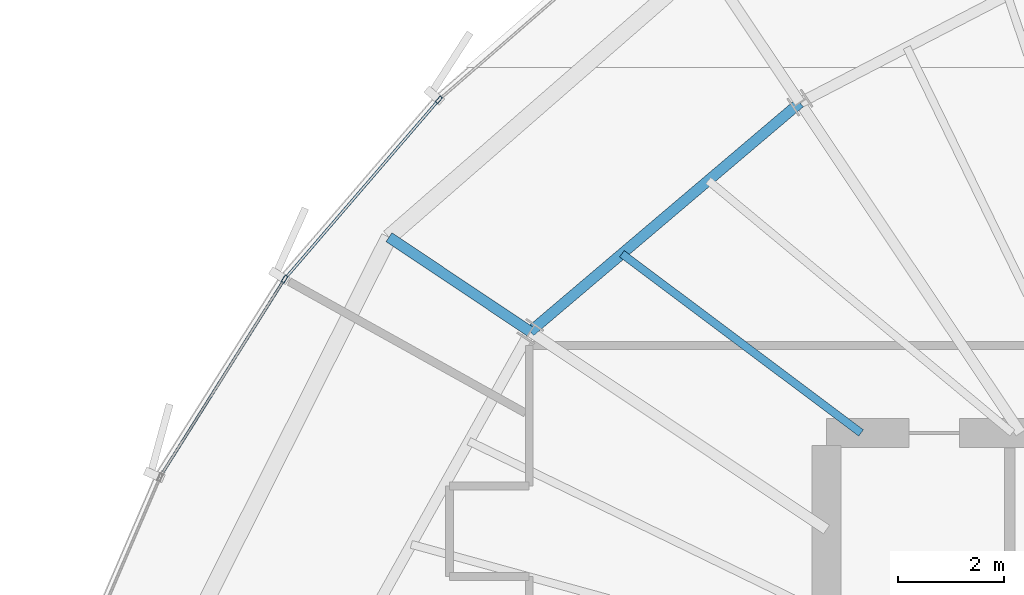
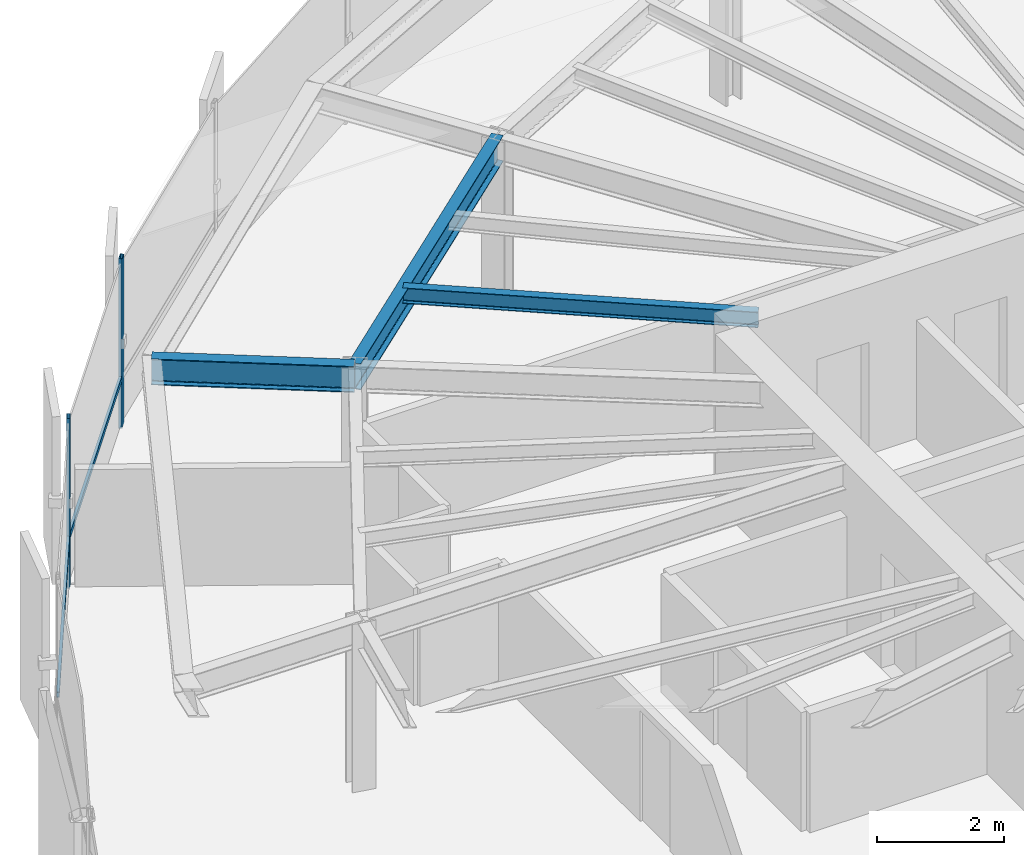
# One storey, part 20 of 34: 4 members, 3 beams, 1 element without a shape of its own.
"""IFC4 building model written with IfcOpenShell, lengths in metres."""

from ifc_helpers import new_model, si_unit, direction, frame, origin, origin_2d, place, context, subcontext, project, spatial, hollow_rectangle, i_section, extrude, source, transform, mapped, material, layer, layer_set, material_profile, profile_set, type_object, element, aggregate, save


model = new_model("IFC4")

# Units and contexts
model_context = context("Model", 3, precision=1e-05, world=origin(), true_north=direction((0.0, 1.0)))
body_context = subcontext(model_context, "Body", "Model", "MODEL_VIEW")
ifc_project = project(units=[si_unit("LENGTHUNIT", "METRE"), si_unit("AREAUNIT", "SQUARE_METRE"), si_unit("VOLUMEUNIT", "CUBIC_METRE"), si_unit("PLANEANGLEUNIT", "RADIAN"), si_unit("MASSUNIT", "GRAM", prefix="KILO"), si_unit("THERMODYNAMICTEMPERATUREUNIT", "KELVIN")], contexts=[model_context])

# Site, building, storey
site_placement = place(None, origin())
site = spatial("IfcSite", under=ifc_project, at=site_placement, CompositionType="ELEMENT")
building_placement = place(site_placement, origin())
building = spatial("IfcBuilding", under=site, at=building_placement, Name="Kethvar Cultural Tower", CompositionType="ELEMENT")
storey_placement = place(building_placement, frame((0.0, 0.0, 183.39990234375)))
storey = spatial("IfcBuildingStorey", under=building, at=storey_placement, Name="L47", CompositionType="ELEMENT", Elevation=183.39990234375)

# Beams
ifc_material_1 = material(Name="Steel S355J2", Category="steel")
ifc_material_profile_1 = material_profile(ifc_material_1, i_section(OverallWidth=0.199951171875, OverallDepth=0.5, WebThickness=0.01025390625, FlangeThickness=0.01611328125, FilletRadius=0.02099609375, at=origin_2d()), Name="Steel S355J2 — IPE500")
ifc_profile_set_1 = profile_set([ifc_material_profile_1], Name="Steel S355J2 — IPE500")
beam_type_1 = type_object("IfcBeamType", Name="BM-IPE500", PredefinedType="BEAM", material=ifc_profile_set_1)
shared_shape_1 = source(origin(), body_context, "Body", "SweptSolid", [
    extrude(i_section(OverallWidth=0.199951171875, OverallDepth=0.5, WebThickness=0.01025390625, FlangeThickness=0.01611328125, FilletRadius=0.02099609375, at=origin_2d()), origin(), (0.0, 0.0, 1.0), 3.199951171875),
])
beam_1_placement = place(storey_placement, frame((32.418212890625, 37.409423828125, 3.008056640625), z_axis=(-0.831462943996, 0.555580212716, 0.0), x_axis=(-0.555580212716, -0.831462943996, 0.0)))
element("IfcBeam", 1, at=beam_1_placement, inside=storey, type_object=beam_type_1, Name="L47 Perimeter Cantilever Beam RC-07", PredefinedType="BEAM", context=body_context, shape_type="MappedRepresentation", body=[
    mapped(shared_shape_1, transform((0.0, 0.0, 0.0), scale=1.0)),
])
shared_shape_2 = source(origin(), body_context, "Body", "SweptSolid", [
    extrude(i_section(OverallWidth=0.199951171875, OverallDepth=0.5, WebThickness=0.01025390625, FlangeThickness=0.01611328125, FilletRadius=0.02099609375, at=origin_2d()), origin(), (0.0, 0.0, 1.0), 6.6630859375),
])
beam_2_placement = place(storey_placement, frame((37.498779296875, 41.720458984375, 3.008056640625), z_axis=(-0.762490511547, -0.646999397064, 0.0), x_axis=(0.646999397064, -0.762490511547, 0.0)))
element("IfcBeam", 2, at=beam_2_placement, inside=storey, type_object=beam_type_1, Name="L47 Column Ring Tie Beam CR-06", PredefinedType="BEAM", context=body_context, shape_type="MappedRepresentation", body=[
    mapped(shared_shape_2, transform((0.0, 0.0, 0.0), scale=1.0)),
])
ifc_material_profile_2 = material_profile(ifc_material_1, i_section(OverallWidth=0.14990234375, OverallDepth=0.300048828125, WebThickness=0.007080078125, FlangeThickness=0.0107421875, FilletRadius=0.014892578125, at=origin_2d()), Name="Steel S355J2 — IPE300")
ifc_profile_set_2 = profile_set([ifc_material_profile_2], Name="Steel S355J2 — IPE300")
beam_type_2 = type_object("IfcBeamType", Name="BM-J300", PredefinedType="JOIST", material=ifc_profile_set_2)
shared_shape_3 = source(origin(), body_context, "Body", "SweptSolid", [
    extrude(i_section(OverallWidth=0.14990234375, OverallDepth=0.300048828125, WebThickness=0.007080078125, FlangeThickness=0.0107421875, FilletRadius=0.014892578125, at=origin_2d()), origin(), (0.0, 0.0, 1.0), 5.628662109375),
])
beam_3_placement = place(storey_placement, frame((38.64990234375, 35.5, 3.108154296875), z_axis=(-0.800260171956, 0.599652947279, 0.0), x_axis=(-0.599652947279, -0.800260171956, 0.0)))
element("IfcBeam", 3, at=beam_3_placement, inside=storey, type_object=beam_type_2, Name="L47 Composite Floor Joist J-06B", PredefinedType="JOIST", context=body_context, shape_type="MappedRepresentation", body=[
    mapped(shared_shape_3, transform((0.0, 0.0, 0.0), scale=1.0)),
])

# Curtain wall, members
ifc_material_2 = material(Name="Aluminium 6063-T6", Category="aluminium")
ifc_layer = layer(ifc_material_2, 0.179931640625, Name="Aluminium 6063-T6", Category="aluminium")
ifc_layer_set = layer_set([ifc_layer], Name="Aluminium 6063-T6 (180 mm)")
curtain_wall_type = type_object("IfcCurtainWallType", Name="CW-SYS-04-Z34", PredefinedType="NOTDEFINED", material=ifc_layer_set)
curtain_wall_placement = place(storey_placement, origin())
curtain_wall = element("IfcCurtainWall", 4, at=curtain_wall_placement, inside=storey, type_object=curtain_wall_type, Name="L47 Curtain Wall Run 02", PredefinedType="NOTDEFINED")
ifc_material_profile_3 = material_profile(ifc_material_2, hollow_rectangle(XDim=0.06005859375, YDim=0.139892578125, WallThickness=0.0048828125, at=origin_2d()), Name="Aluminium 6063-T6 — RHS140x60x5")
ifc_profile_set_3 = profile_set([ifc_material_profile_3], Name="Aluminium 6063-T6 — RHS140x60x5")
member_type_1 = type_object("IfcMemberType", Name="CW-SYS-04-Z34-MUL", PredefinedType="MULLION", material=ifc_profile_set_3)
shared_shape_4 = source(origin(), body_context, "Body", "SweptSolid", [
    extrude(hollow_rectangle(XDim=0.06005859375, YDim=0.139892578125, WallThickness=0.0048828125, at=origin_2d()), origin(), (0.0, 0.0, 1.0), 3.260009765625),
])
member_1_placement = place(storey_placement, frame((30.69970703125, 41.77734375, 0.0), z_axis=(0.0, 0.0, 1.0), x_axis=(0.75800912832, -0.652243943155, 0.0)))
member_1 = element("IfcMember", 5, at=member_1_placement, type_object=member_type_1, Name="CW-L47-R02 Mullion 5", PredefinedType="MULLION", context=body_context, shape_type="MappedRepresentation", body=[
    mapped(shared_shape_4, transform((0.0, 0.0, 0.0), scale=1.0)),
])
member_2_placement = place(storey_placement, frame((27.791259765625, 38.3994140625, 0.0), z_axis=(0.0, 0.0, 1.0), x_axis=(0.846379123481, -0.532580866475, 0.0)))
member_2 = element("IfcMember", 6, at=member_2_placement, type_object=member_type_1, Name="CW-L47-R02 Mullion 6", PredefinedType="MULLION", context=body_context, shape_type="MappedRepresentation", body=[
    mapped(shared_shape_4, transform((0.0, 0.0, 0.0), scale=1.0)),
])
ifc_material_profile_4 = material_profile(ifc_material_2, hollow_rectangle(XDim=0.050048828125, YDim=0.10009765625, WallThickness=0.00390625, at=origin_2d()), Name="Aluminium 6063-T6 — RHS100x50x4")
ifc_profile_set_4 = profile_set([ifc_material_profile_4], Name="Aluminium 6063-T6 — RHS100x50x4")
member_type_2 = type_object("IfcMemberType", Name="CW-SYS-04-Z34-TRN", PredefinedType="USERDEFINED", material=ifc_profile_set_4)
shared_shape_5 = source(origin(), body_context, "Body", "SweptSolid", [
    extrude(hollow_rectangle(XDim=0.050048828125, YDim=0.10009765625, WallThickness=0.00390625, at=origin_2d()), origin(), (0.0, 0.0, 1.0), 4.387451171875),
])
member_3_placement = place(storey_placement, frame((30.67138671875, 41.74462890625, 0.9501953125), z_axis=(-0.652233735358, -0.758017911702, 0.0), x_axis=(0.758017911702, -0.652233735358, 0.0)))
member_3 = element("IfcMember", 7, at=member_3_placement, type_object=member_type_2, Name="CW-L47-R02 Transom 5", ObjectType="TRANSOM", PredefinedType="USERDEFINED", context=body_context, shape_type="MappedRepresentation", body=[
    mapped(shared_shape_5, transform((0.0, 0.0, 0.0), scale=1.0)),
])
shared_shape_6 = source(origin(), body_context, "Body", "SweptSolid", [
    extrude(hollow_rectangle(XDim=0.050048828125, YDim=0.10009765625, WallThickness=0.00390625, at=origin_2d()), origin(), (0.0, 0.0, 1.0), 4.30322265625),
])
member_4_placement = place(storey_placement, frame((27.768310546875, 38.36279296875, 0.9501953125), z_axis=(-0.532576999243, -0.84638155691, 0.0), x_axis=(0.84638155691, -0.532576999243, 0.0)))
member_4 = element("IfcMember", 8, at=member_4_placement, type_object=member_type_2, Name="CW-L47-R02 Transom 6", ObjectType="TRANSOM", PredefinedType="USERDEFINED", context=body_context, shape_type="MappedRepresentation", body=[
    mapped(shared_shape_6, transform((0.0, 0.0, 0.0), scale=1.0)),
])
aggregate(curtain_wall, [member_1, member_2, member_3, member_4])

save(model, "model.ifc")
